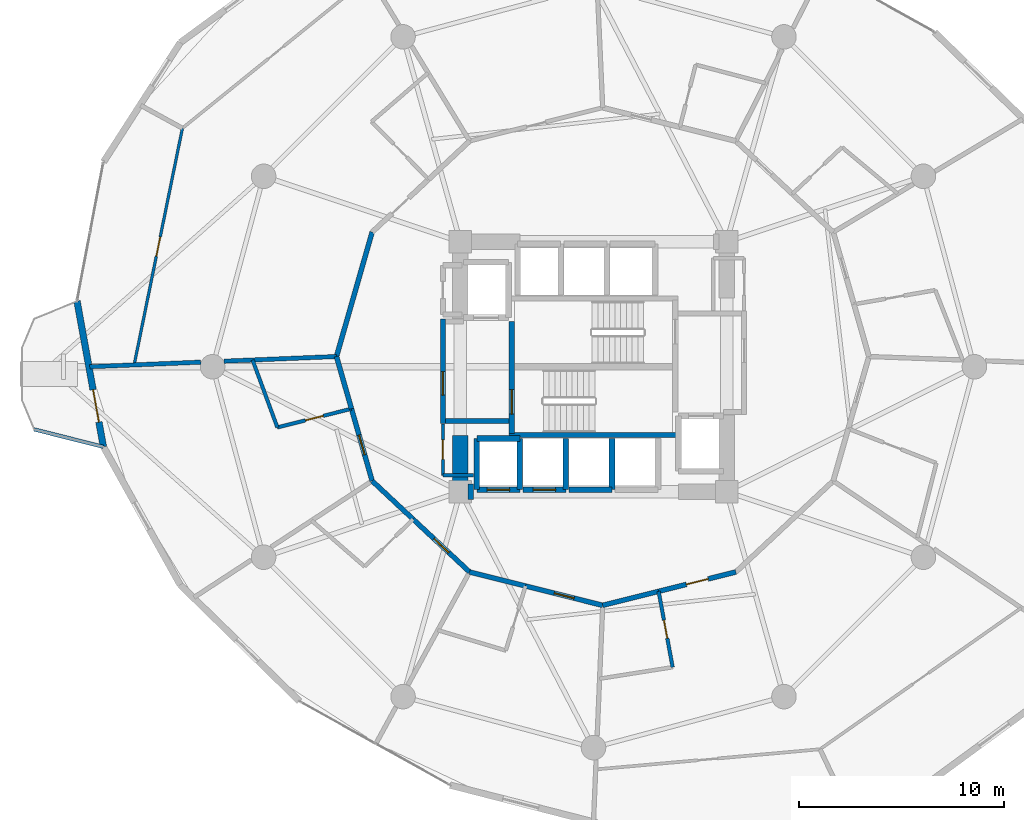
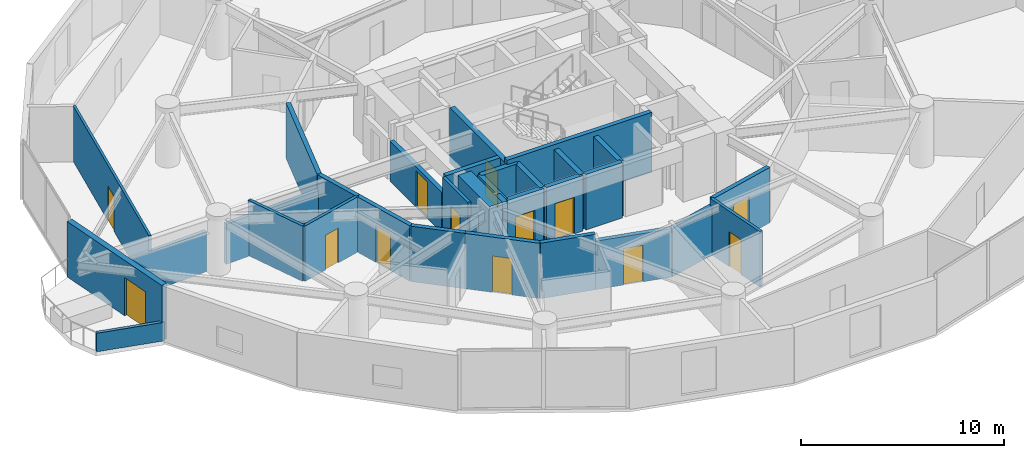
# One storey, part 17 of 22: 33 walls, 13 doors, 13 openings.
"""IFC4 building model written with IfcOpenShell, lengths in metres."""

from ifc_helpers import new_model, si_unit, direction, frame, frame_2d, origin, place, context, subcontext, project, spatial, rectangle, extrude, material, layer, layer_set, type_object, element, fill, save


model = new_model("IFC4")

# Units and contexts
model_context = context("Model", 3, precision=1e-05, world=origin(), true_north=direction((0.0, 1.0)))
body_context = subcontext(model_context, "Body", "Model", "MODEL_VIEW")
ifc_project = project(units=[si_unit("LENGTHUNIT", "METRE"), si_unit("AREAUNIT", "SQUARE_METRE"), si_unit("VOLUMEUNIT", "CUBIC_METRE"), si_unit("PLANEANGLEUNIT", "RADIAN"), si_unit("MASSUNIT", "GRAM", prefix="KILO")], contexts=[model_context])

# Site, building, storey
site_placement = place(None, origin())
site = spatial("IfcSite", under=ifc_project, at=site_placement, CompositionType="ELEMENT")
building_placement = place(site_placement, origin())
building = spatial("IfcBuilding", under=site, at=building_placement, Name="Solvirekh Grand Hotel", CompositionType="ELEMENT")
storey_placement = place(building_placement, frame((0.0, 0.0, 78.800048828125)))
storey = spatial("IfcBuildingStorey", under=building, at=storey_placement, Name="L19", CompositionType="ELEMENT", Elevation=78.800048828125)

# Wall
ifc_material_1 = material(Name="Concrete C50/60", Category="concrete")
ifc_layer_1 = layer(ifc_material_1, 0.35009765625)
ifc_layer_set_1 = layer_set([ifc_layer_1], Name="Concrete C50/60")
wall_type_1 = type_object("IfcWallType", Name="CoreDivWall_RC350", PredefinedType="SOLIDWALL", material=ifc_layer_set_1)
wall_1_placement = place(storey_placement, frame((-4.1298828125, -3.324951171875, 0.0), z_axis=(0.0, 0.0, 1.0), x_axis=(1.0, 0.0, 0.0)))
element("IfcWall", 1, at=wall_1_placement, inside=storey, type_object=wall_type_1, Name="L19 core stair box wall ST-S", PredefinedType="SOLIDWALL", context=body_context, shape_type="SweptSolid", body=[
    extrude(rectangle(XDim=8.259765625, YDim=0.25, at=frame_2d((4.1298828125, 0.0))), origin(), (0.0, 0.0, 1.0), 3.599853515625),
])

# Wall, opening, door
ifc_material_2 = material(Name="Concrete C40/50", Category="concrete")
ifc_layer_2 = layer(ifc_material_2, 0.280029296875)
ifc_layer_set_2 = layer_set([ifc_layer_2], Name="Concrete C40/50")
wall_type_2 = type_object("IfcWallType", Name="CoreShaftWall_RC280", PredefinedType="SOLIDWALL", material=ifc_layer_set_2)
wall_2_placement = place(storey_placement, frame((-5.699951171875, -6.0, 0.0), z_axis=(0.0, 0.0, 1.0), x_axis=(1.0, 0.0, 0.0)))
wall_2 = element("IfcWall", 2, at=wall_2_placement, inside=storey, type_object=wall_type_2, Name="L19 LP-1 hoistway S wall", PredefinedType="SOLIDWALL", context=body_context, shape_type="SweptSolid", body=[
    extrude(rectangle(XDim=2.099853515625, YDim=0.280029296875, at=frame_2d((1.0498046875, 0.0))), origin(), (0.0, 0.0, 1.0), 3.33984375),
])
opening_1_placement = place(wall_2_placement, frame((0.5, 0.0, 0.0)))
opening_1 = element("IfcOpeningElement", 3, at=opening_1_placement, cuts=wall_2, Name="Opening LD01", PredefinedType="OPENING", context=body_context, shape_type="SweptSolid", body=[
    extrude(rectangle(XDim=1.10009765625, YDim=2.199951171875, at=frame_2d((0.550048828125, 1.10009765625))), frame((0.0, 0.14990234375, 0.0), z_axis=(0.0, -1.0, 0.0), x_axis=(1.0, 0.0, 0.0)), (0.0, 0.0, 1.0), 0.300048828125),
])
ifc_material_3 = material(Name="Fire-Rated Steel Door Assembly", Category="steel")
door_type_1 = type_object("IfcDoorType", Name="Door_LiftLanding_1100X2200", OperationType="SLIDING_TO_LEFT", PredefinedType="DOOR", material=ifc_material_3)
door_1_placement = place(opening_1_placement, origin())
door_1 = element("IfcDoor", 4, at=door_1_placement, inside=storey, type_object=door_type_1, Name="L19 LP-1 sliding lift landing door", OperationType="SLIDING_TO_LEFT", OverallHeight=2.199951171875, OverallWidth=1.10009765625, PredefinedType="DOOR", context=body_context, shape_type="SweptSolid", body=[
    extrude(rectangle(XDim=1.10009765625, YDim=2.199951171875, at=frame_2d((0.550048828125, 1.10009765625))), frame((0.0, 0.02490234375, 0.0), z_axis=(0.0, -1.0, 0.0), x_axis=(1.0, 0.0, 0.0)), (0.0, 0.0, 1.0), 0.050048828125),
])
fill(opening_1, door_1)

# Walls
wall_3_placement = place(storey_placement, frame((-3.60009765625, -3.5, 0.0), z_axis=(0.0, 0.0, 1.0), x_axis=(-1.0, 0.0, 0.0)))
element("IfcWall", 5, at=wall_3_placement, inside=storey, type_object=wall_type_2, Name="L19 LP-1 hoistway N wall", PredefinedType="SOLIDWALL", context=body_context, shape_type="SweptSolid", body=[
    extrude(rectangle(XDim=2.099853515625, YDim=0.280029296875, at=frame_2d((1.0498046875, 0.0))), origin(), (0.0, 0.0, 1.0), 3.33984375),
])
for number, where, z_axis, x_axis, name in (
    (6, (-5.699951171875, -3.5, 0.0), (0.0, 0.0, 1.0), (0.0, -1.0, 0.0), "L19 LP-1 hoistway W wall"),
    (7, (-3.60009765625, -6.0, 0.0), (0.0, 0.0, 1.0), (0.0, 1.0, 0.0), "L19 LP-1 hoistway E wall"),
):
    element("IfcWall", number, at=place(storey_placement, frame(where, z_axis=z_axis, x_axis=x_axis)), inside=storey, type_object=wall_type_2, Name=name, PredefinedType="SOLIDWALL", context=body_context, shape_type="SweptSolid", body=[
        extrude(rectangle(XDim=2.5, YDim=0.280029296875, at=frame_2d((1.25, 0.0))), origin(), (0.0, 0.0, 1.0), 3.33984375),
    ])

# Wall, opening, door
wall_4_placement = place(storey_placement, frame((-3.449951171875, -6.0, 0.0), z_axis=(0.0, 0.0, 1.0), x_axis=(1.0, 0.0, 0.0)))
wall_4 = element("IfcWall", 8, at=wall_4_placement, inside=storey, type_object=wall_type_2, Name="L19 LP-2 hoistway S wall", PredefinedType="SOLIDWALL", context=body_context, shape_type="SweptSolid", body=[
    extrude(rectangle(XDim=2.099853515625, YDim=0.280029296875, at=frame_2d((1.0498046875, 0.0))), origin(), (0.0, 0.0, 1.0), 3.33984375),
])
opening_2_placement = place(wall_4_placement, frame((0.5, 0.0, 0.0)))
opening_2 = element("IfcOpeningElement", 9, at=opening_2_placement, cuts=wall_4, Name="Opening LD01", PredefinedType="OPENING", context=body_context, shape_type="SweptSolid", body=[
    extrude(rectangle(XDim=1.10009765625, YDim=2.199951171875, at=frame_2d((0.550048828125, 1.10009765625))), frame((0.0, 0.14990234375, 0.0), z_axis=(0.0, -1.0, 0.0), x_axis=(1.0, 0.0, 0.0)), (0.0, 0.0, 1.0), 0.300048828125),
])
door_2_placement = place(opening_2_placement, origin())
door_2 = element("IfcDoor", 10, at=door_2_placement, inside=storey, type_object=door_type_1, Name="L19 LP-2 sliding lift landing door", OperationType="SLIDING_TO_LEFT", OverallHeight=2.199951171875, OverallWidth=1.10009765625, PredefinedType="DOOR", context=body_context, shape_type="SweptSolid", body=[
    extrude(rectangle(XDim=1.10009765625, YDim=2.199951171875, at=frame_2d((0.550048828125, 1.10009765625))), frame((0.0, 0.02490234375, 0.0), z_axis=(0.0, -1.0, 0.0), x_axis=(1.0, 0.0, 0.0)), (0.0, 0.0, 1.0), 0.050048828125),
])
fill(opening_2, door_2)

# Walls
wall_5_placement = place(storey_placement, frame((-1.35009765625, -6.0, 0.0), z_axis=(0.0, 0.0, 1.0), x_axis=(0.0, 1.0, 0.0)))
element("IfcWall", 11, at=wall_5_placement, inside=storey, type_object=wall_type_2, Name="L19 LP-2 hoistway E wall", PredefinedType="SOLIDWALL", context=body_context, shape_type="SweptSolid", body=[
    extrude(rectangle(XDim=2.5, YDim=0.280029296875, at=frame_2d((1.25, 0.0))), origin(), (0.0, 0.0, 1.0), 3.33984375),
])
wall_6_placement = place(storey_placement, frame((-1.199951171875, -6.0, 0.0), z_axis=(0.0, 0.0, 1.0), x_axis=(1.0, 0.0, 0.0)))
element("IfcWall", 12, at=wall_6_placement, inside=storey, type_object=wall_type_2, Name="L19 MP-1 hoistway S wall", PredefinedType="SOLIDWALL", context=body_context, shape_type="SweptSolid", body=[
    extrude(rectangle(XDim=2.099853515625, YDim=0.280029296875, at=frame_2d((1.0498046875, 0.0))), origin(), (0.0, 0.0, 1.0), 3.33984375),
])
wall_7_placement = place(storey_placement, frame((0.89990234375, -6.0, 0.0), z_axis=(0.0, 0.0, 1.0), x_axis=(0.0, 1.0, 0.0)))
element("IfcWall", 13, at=wall_7_placement, inside=storey, type_object=wall_type_2, Name="L19 MP-1 hoistway E wall", PredefinedType="SOLIDWALL", context=body_context, shape_type="SweptSolid", body=[
    extrude(rectangle(XDim=2.5, YDim=0.280029296875, at=frame_2d((1.25, 0.0))), origin(), (0.0, 0.0, 1.0), 3.33984375),
])

# Wall, opening, door
wall_8_placement = place(storey_placement, frame((-3.989990234375, -3.25, 0.0), z_axis=(0.0, 0.0, 1.0), x_axis=(0.0, 1.0, 0.0)))
wall_8 = element("IfcWall", 14, at=wall_8_placement, inside=storey, type_object=wall_type_2, Name="L19 west stair landing enclosure wall", PredefinedType="SOLIDWALL", context=body_context, shape_type="SweptSolid", body=[
    extrude(rectangle(XDim=5.4599609375, YDim=0.280029296875, at=frame_2d((2.72998046875, 0.0))), origin(), (0.0, 0.0, 1.0), 3.33984375),
])
opening_3_placement = place(wall_8_placement, frame((0.93701171875, 0.0, 0.0)))
opening_3 = element("IfcOpeningElement", 15, at=opening_3_placement, cuts=wall_8, Name="Opening D05", PredefinedType="OPENING", context=body_context, shape_type="SweptSolid", body=[
    extrude(rectangle(XDim=1.199951171875, YDim=2.199951171875, at=frame_2d((0.60009765625, 1.10009765625))), frame((0.0, 0.14990234375, 0.0), z_axis=(0.0, -1.0, 0.0), x_axis=(1.0, 0.0, 0.0)), (0.0, 0.0, 1.0), 0.300048828125),
])
door_type_2 = type_object("IfcDoorType", Name="Door_StairCore_1200X2200", OperationType="NOTDEFINED", PredefinedType="DOOR", material=ifc_material_3)
door_3_placement = place(opening_3_placement, origin())
door_3 = element("IfcDoor", 16, at=door_3_placement, inside=storey, type_object=door_type_2, Name="L19 exit stair ST-1 fire door", OperationType="SINGLE_SWING_RIGHT", OverallHeight=2.199951171875, OverallWidth=1.199951171875, PredefinedType="DOOR", context=body_context, shape_type="SweptSolid", body=[
    extrude(rectangle(XDim=1.199951171875, YDim=2.199951171875, at=frame_2d((0.60009765625, 1.10009765625))), frame((0.0, 0.02490234375, 0.0), z_axis=(0.0, -1.0, 0.0), x_axis=(1.0, 0.0, 0.0)), (0.0, 0.0, 1.0), 0.050048828125),
])
fill(opening_3, door_3)

# Walls
ifc_material_4 = material(Name="Concrete C60/75", Category="concrete")
ifc_layer_3 = layer(ifc_material_4, 0.75)
ifc_layer_set_3 = layer_set([ifc_layer_3], Name="Concrete C60/75")
wall_type_3 = type_object("IfcWallType", Name="CoreWall_RC750", PredefinedType="SHEAR", material=ifc_layer_set_3)
wall_9_placement = place(storey_placement, frame((-6.125, -6.10009765625, 0.0), z_axis=(0.0, 0.0, 1.0), x_axis=(1.0, 0.0, 0.0)))
element("IfcWall", 17, at=wall_9_placement, inside=storey, type_object=wall_type_3, Name="L19 core corner shear wall SW-S", PredefinedType="SHEAR", context=body_context, shape_type="SweptSolid", body=[
    extrude(rectangle(XDim=0.27490234375, YDim=0.75, at=frame_2d((0.137451171875, 0.0))), origin(), (0.0, 0.0, 1.0), 3.599853515625),
])
wall_10_placement = place(storey_placement, frame((-6.5, -6.47509765625, 0.0), z_axis=(0.0, 0.0, 1.0), x_axis=(0.0, 1.0, 0.0)))
element("IfcWall", 18, at=wall_10_placement, inside=storey, type_object=wall_type_3, Name="L19 core corner shear wall WS-W", PredefinedType="SHEAR", context=body_context, shape_type="SweptSolid", body=[
    extrude(rectangle(XDim=3.125, YDim=0.75, at=frame_2d((1.5625, 0.0))), origin(), (0.0, 0.0, 1.0), 3.599853515625),
])

# Wall, opening, door
ifc_material_5 = material(Name="Precast concrete C45/55", Category="concrete")
ifc_layer_4 = layer(ifc_material_5, 0.320068359375)
ifc_layer_set_4 = layer_set([ifc_layer_4], Name="Precast concrete C45/55")
wall_type_4 = type_object("IfcWallType", Name="ExtLobbyWall_RC320", PredefinedType="SOLIDWALL", material=ifc_layer_set_4)
wall_11_placement = place(storey_placement, frame((-23.930908203125, -3.912109375, 0.0), z_axis=(0.0, 0.0, 1.0), x_axis=(-0.178065653106, 0.984018609165, 0.0)))
wall_11 = element("IfcWall", 19, at=wall_11_placement, inside=storey, type_object=wall_type_4, Name="L19 exterior structural wall chord 12", PredefinedType="SOLIDWALL", context=body_context, shape_type="SweptSolid", body=[
    extrude(rectangle(XDim=7.23388671875, YDim=0.320068359375, at=frame_2d((3.616943359375, 0.0))), origin(), (0.0, 0.0, 1.0), 3.33984375),
])
opening_4_placement = place(wall_11_placement, frame((1.23388671875, 0.0, 0.0)))
opening_4 = element("IfcOpeningElement", 20, at=opening_4_placement, cuts=wall_11, Name="Opening D04", PredefinedType="OPENING", context=body_context, shape_type="SweptSolid", body=[
    extrude(rectangle(XDim=1.60009765625, YDim=2.300048828125, at=frame_2d((0.800048828125, 1.14990234375))), frame((0.0, 0.169921875, 0.0), z_axis=(0.0, -1.0, 0.0), x_axis=(1.0, 0.0, 0.0)), (0.0, 0.0, 1.0), 0.340087890625),
])
ifc_material_6 = material(Name="Anodized Bronze Aluminium 6063-T6", Category="aluminium")
door_type_3 = type_object("IfcDoorType", Name="Door_ExtTerrace_1600X2300", OperationType="NOTDEFINED", PredefinedType="DOOR", material=ifc_material_6)
door_4_placement = place(opening_4_placement, origin())
door_4 = element("IfcDoor", 21, at=door_4_placement, inside=storey, type_object=door_type_3, Name="L19 West horn sky-garden terrace door (12)", OperationType="SINGLE_SWING_LEFT", OverallHeight=2.300048828125, OverallWidth=1.60009765625, PredefinedType="DOOR", context=body_context, shape_type="SweptSolid", body=[
    extrude(rectangle(XDim=1.60009765625, YDim=2.300048828125, at=frame_2d((0.800048828125, 1.14990234375))), frame((0.0, 0.02490234375, 0.0), z_axis=(0.0, -1.0, 0.0), x_axis=(1.0, 0.0, 0.0)), (0.0, 0.0, 1.0), 0.050048828125),
])
fill(opening_4, door_4)

# Walls
ifc_layer_5 = layer(ifc_material_5, 0.179931640625)
ifc_layer_set_5 = layer_set([ifc_layer_5], Name="Precast concrete C45/55")
wall_type_5 = type_object("IfcWallType", Name="ExtPlanterWall_180", PredefinedType="PARAPET", material=ifc_layer_set_5)
wall_12_placement = place(storey_placement, frame((-27.319091796875, -3.05810546875, 0.0), z_axis=(0.0, 0.0, 1.0), x_axis=(0.969672141927, -0.244409363918, 0.0)))
element("IfcWall", 22, at=wall_12_placement, inside=storey, type_object=wall_type_5, Name="L19 horn sky-garden planter parapet", PredefinedType="PARAPET", context=body_context, shape_type="SweptSolid", body=[
    extrude(rectangle(XDim=3.494140625, YDim=0.179931640625, at=frame_2d((1.7470703125, 0.0))), origin(), (0.0, 0.0, 1.0), 1.119873046875),
])
ifc_material_7 = material(Name="Acoustic Gypsum Partition Assembly")
ifc_layer_6 = layer(ifc_material_7, 0.1650390625)
ifc_layer_set_6 = layer_set([ifc_layer_6], Name="Acoustic Gypsum Partition Assembly")
wall_type_6 = type_object("IfcWallType", Name="Part_BOH_165", PredefinedType="PARTITIONING", material=ifc_layer_set_6)
wall_13_placement = place(storey_placement, frame((-7.35009765625, -5.300048828125, 0.0), z_axis=(0.0, 0.0, 1.0), x_axis=(1.0, 0.0, 0.0)))
element("IfcWall", 23, at=wall_13_placement, inside=storey, type_object=wall_type_6, Name="L19 L19 Core Linen Store wall 1", PredefinedType="PARTITIONING", context=body_context, shape_type="SweptSolid", body=[
    extrude(rectangle(XDim=1.5, YDim=0.1650390625, at=frame_2d((0.75, 0.0))), origin(), (0.0, 0.0, 1.0), 2.425048828125),
])

# Wall, opening, door
wall_14_placement = place(storey_placement, frame((-7.35009765625, -2.800048828125, 0.0), z_axis=(0.0, 0.0, 1.0), x_axis=(0.0, -1.0, 0.0)))
wall_14 = element("IfcWall", 24, at=wall_14_placement, inside=storey, type_object=wall_type_6, Name="L19 L19 Core Linen Store wall 4", PredefinedType="PARTITIONING", context=body_context, shape_type="SweptSolid", body=[
    extrude(rectangle(XDim=2.5, YDim=0.1650390625, at=frame_2d((1.25, 0.0))), origin(), (0.0, 0.0, 1.0), 3.33984375),
])
opening_5_placement = place(wall_14_placement, frame((0.77490234375, 0.0, 0.0)))
opening_5 = element("IfcOpeningElement", 25, at=opening_5_placement, cuts=wall_14, Name="Opening D10", PredefinedType="OPENING", context=body_context, shape_type="SweptSolid", body=[
    extrude(rectangle(XDim=0.949951171875, YDim=2.10009765625, at=frame_2d((0.47509765625, 1.050048828125))), frame((0.0, 0.092529296875, 0.0), z_axis=(0.0, -1.0, 0.0), x_axis=(1.0, 0.0, 0.0)), (0.0, 0.0, 1.0), 0.18505859375),
])
door_type_4 = type_object("IfcDoorType", Name="Door_RoomInt_950X2100", OperationType="NOTDEFINED", PredefinedType="DOOR", material=ifc_material_6)
door_5_placement = place(opening_5_placement, origin())
door_5 = element("IfcDoor", 26, at=door_5_placement, inside=storey, type_object=door_type_4, Name="L19 L19 Core Linen Store door", OperationType="SINGLE_SWING_LEFT", OverallHeight=2.10009765625, OverallWidth=0.949951171875, PredefinedType="DOOR", context=body_context, shape_type="SweptSolid", body=[
    extrude(rectangle(XDim=0.949951171875, YDim=2.10009765625, at=frame_2d((0.47509765625, 1.050048828125))), frame((0.0, 0.02490234375, 0.0), z_axis=(0.0, -1.0, 0.0), x_axis=(1.0, 0.0, 0.0)), (0.0, 0.0, 1.0), 0.050048828125),
])
fill(opening_5, door_5)

ifc_layer_7 = layer(ifc_material_7, 0.239990234375)
ifc_layer_set_7 = layer_set([ifc_layer_7], Name="Acoustic Gypsum Partition Assembly")
wall_type_7 = type_object("IfcWallType", Name="Part_Corridor_240", PredefinedType="PARTITIONING", material=ifc_layer_set_7)
wall_15_placement = place(storey_placement, frame((-7.35009765625, -2.780029296875, 0.0), z_axis=(0.0, 0.0, 1.0), x_axis=(0.0, 1.0, 0.0)))
wall_15 = element("IfcWall", 27, at=wall_15_placement, inside=storey, type_object=wall_type_7, Name="L19 west firefighting lobby smoke screen wall", PredefinedType="PARTITIONING", context=body_context, shape_type="SweptSolid", body=[
    extrude(rectangle(XDim=5.1201171875, YDim=0.239990234375, at=frame_2d((2.56005859375, 0.0))), origin(), (0.0, 0.0, 1.0), 2.425048828125),
])
opening_6_placement = place(wall_15_placement, frame((1.388916015625, 0.0, 0.0)))
opening_6 = element("IfcOpeningElement", 28, at=opening_6_placement, cuts=wall_15, Name="Opening D06", PredefinedType="OPENING", context=body_context, shape_type="SweptSolid", body=[
    extrude(rectangle(XDim=1.14990234375, YDim=2.199951171875, at=frame_2d((0.574951171875, 1.10009765625))), frame((0.0, 0.1298828125, 0.0), z_axis=(0.0, -1.0, 0.0), x_axis=(1.0, 0.0, 0.0)), (0.0, 0.0, 1.0), 0.260009765625),
])
door_type_5 = type_object("IfcDoorType", Name="Door_FFLobby_1150X2200", OperationType="NOTDEFINED", PredefinedType="DOOR", material=ifc_material_3)
door_6_placement = place(opening_6_placement, origin())
door_6 = element("IfcDoor", 29, at=door_6_placement, inside=storey, type_object=door_type_5, Name="L19 west firefighting lobby smoke door", OperationType="SINGLE_SWING_RIGHT", OverallHeight=2.199951171875, OverallWidth=1.14990234375, PredefinedType="DOOR", context=body_context, shape_type="SweptSolid", body=[
    extrude(rectangle(XDim=1.14990234375, YDim=2.199951171875, at=frame_2d((0.574951171875, 1.10009765625))), frame((0.0, 0.02490234375, 0.0), z_axis=(0.0, -1.0, 0.0), x_axis=(1.0, 0.0, 0.0)), (0.0, 0.0, 1.0), 0.050048828125),
])
fill(opening_6, door_6)

# Walls
wall_16_placement = place(storey_placement, frame((-10.80810546875, 6.574951171875, 0.0), z_axis=(0.0, 0.0, 1.0), x_axis=(-0.275634306148, -0.961262570412, 0.0)))
element("IfcWall", 30, at=wall_16_placement, inside=storey, type_object=wall_type_7, Name="L19 Executive Suite 2101 Living Room corridor wall 1", PredefinedType="PARTITIONING", context=body_context, shape_type="SweptSolid", body=[
    extrude(rectangle(XDim=6.31982421875, YDim=0.239990234375, at=frame_2d((3.159912109375, 0.0))), origin(), (0.0, 0.0, 1.0), 3.33984375),
])
wall_17_placement = place(storey_placement, frame((-12.550048828125, 0.5, 0.0), z_axis=(0.0, 0.0, 1.0), x_axis=(0.275790140823, -0.961217872402, 0.0)))
element("IfcWall", 31, at=wall_17_placement, inside=storey, type_object=wall_type_7, Name="L19 En-suite Bathroom 2102 corridor backing wall", PredefinedType="PARTITIONING", context=body_context, shape_type="SweptSolid", body=[
    extrude(rectangle(XDim=2.654052734375, YDim=0.239990234375, at=frame_2d((1.3271484375, 0.0))), origin(), (0.0, 0.0, 1.0), 3.33984375),
])

# Wall, opening, door
wall_18_placement = place(storey_placement, frame((-11.818115234375, -2.051025390625, 0.0), z_axis=(0.0, 0.0, 1.0), x_axis=(0.275521481409, -0.961294914832, 0.0)))
wall_18 = element("IfcWall", 32, at=wall_18_placement, inside=storey, type_object=wall_type_7, Name="L19 Deluxe Guestroom 2102 entrance wall", PredefinedType="PARTITIONING", context=body_context, shape_type="SweptSolid", body=[
    extrude(rectangle(XDim=3.665771484375, YDim=0.239990234375, at=frame_2d((1.8330078125, 0.0))), origin(), (0.0, 0.0, 1.0), 3.33984375),
])
opening_7_placement = place(wall_18_placement, frame((1.3330078125, 0.0, 0.0)))
opening_7 = element("IfcOpeningElement", 33, at=opening_7_placement, cuts=wall_18, Name="Opening D07", PredefinedType="OPENING", context=body_context, shape_type="SweptSolid", body=[
    extrude(rectangle(XDim=1.0, YDim=2.199951171875, at=frame_2d((0.5, 1.10009765625))), frame((0.0, 0.1298828125, 0.0), z_axis=(0.0, -1.0, 0.0), x_axis=(1.0, 0.0, 0.0)), (0.0, 0.0, 1.0), 0.260009765625),
])
door_type_6 = type_object("IfcDoorType", Name="Door_GuestEntry_1000X2200", OperationType="NOTDEFINED", PredefinedType="DOOR", material=ifc_material_3)
door_7_placement = place(opening_7_placement, origin())
door_7 = element("IfcDoor", 34, at=door_7_placement, inside=storey, type_object=door_type_6, Name="L19 Deluxe Guestroom 2102 entrance door", OperationType="SINGLE_SWING_RIGHT", OverallHeight=2.199951171875, OverallWidth=1.0, PredefinedType="DOOR", context=body_context, shape_type="SweptSolid", body=[
    extrude(rectangle(XDim=1.0, YDim=2.199951171875, at=frame_2d((0.5, 1.10009765625))), frame((0.0, 0.02490234375, 0.0), z_axis=(0.0, -1.0, 0.0), x_axis=(1.0, 0.0, 0.0)), (0.0, 0.0, 1.0), 0.050048828125),
])
fill(opening_7, door_7)

# Wall
wall_19_placement = place(storey_placement, frame((-10.80810546875, -5.574951171875, 0.0), z_axis=(0.0, 0.0, 1.0), x_axis=(0.730449499178, -0.682966711597, 0.0)))
element("IfcWall", 35, at=wall_19_placement, inside=storey, type_object=wall_type_7, Name="L19 En-suite Bathroom 2103 corridor backing wall", PredefinedType="PARTITIONING", context=body_context, shape_type="SweptSolid", body=[
    extrude(rectangle(XDim=2.7353515625, YDim=0.239990234375, at=frame_2d((1.36767578125, 0.0))), origin(), (0.0, 0.0, 1.0), 3.33984375),
])

# Wall, opening, door
wall_20_placement = place(storey_placement, frame((-8.81005859375, -7.443115234375, 0.0), z_axis=(0.0, 0.0, 1.0), x_axis=(0.730679025356, -0.682721145054, 0.0)))
wall_20 = element("IfcWall", 36, at=wall_20_placement, inside=storey, type_object=wall_type_7, Name="L19 Deluxe Guestroom 2103 entrance wall", PredefinedType="PARTITIONING", context=body_context, shape_type="SweptSolid", body=[
    extrude(rectangle(XDim=3.77734375, YDim=0.239990234375, at=frame_2d((1.888671875, 0.0))), origin(), (0.0, 0.0, 1.0), 3.33984375),
])
opening_8_placement = place(wall_20_placement, frame((1.388916015625, 0.0, 0.0)))
opening_8 = element("IfcOpeningElement", 37, at=opening_8_placement, cuts=wall_20, Name="Opening D07", PredefinedType="OPENING", context=body_context, shape_type="SweptSolid", body=[
    extrude(rectangle(XDim=1.0, YDim=2.199951171875, at=frame_2d((0.5, 1.10009765625))), frame((0.0, 0.1298828125, 0.0), z_axis=(0.0, -1.0, 0.0), x_axis=(1.0, 0.0, 0.0)), (0.0, 0.0, 1.0), 0.260009765625),
])
door_8_placement = place(opening_8_placement, origin())
door_8 = element("IfcDoor", 38, at=door_8_placement, inside=storey, type_object=door_type_6, Name="L19 Deluxe Guestroom 2103 entrance door", OperationType="SINGLE_SWING_RIGHT", OverallHeight=2.199951171875, OverallWidth=1.0, PredefinedType="DOOR", context=body_context, shape_type="SweptSolid", body=[
    extrude(rectangle(XDim=1.0, YDim=2.199951171875, at=frame_2d((0.5, 1.10009765625))), frame((0.0, 0.02490234375, 0.0), z_axis=(0.0, -1.0, 0.0), x_axis=(1.0, 0.0, 0.0)), (0.0, 0.0, 1.0), 0.050048828125),
])
fill(opening_8, door_8)

# Wall
wall_21_placement = place(storey_placement, frame((-6.050048828125, -10.02197265625, 0.0), z_axis=(0.0, 0.0, 1.0), x_axis=(0.970009682466, -0.243066278865, 0.0)))
element("IfcWall", 39, at=wall_21_placement, inside=storey, type_object=wall_type_7, Name="L19 En-suite Bathroom 2104 corridor backing wall", PredefinedType="PARTITIONING", context=body_context, shape_type="SweptSolid", body=[
    extrude(rectangle(XDim=2.814453125, YDim=0.239990234375, at=frame_2d((1.4072265625, 0.0))), origin(), (0.0, 0.0, 1.0), 3.33984375),
])

# Wall, opening, door
wall_22_placement = place(storey_placement, frame((-3.320068359375, -10.7060546875, 0.0), z_axis=(0.0, 0.0, 1.0), x_axis=(0.970061149619, -0.24286079552, 0.0)))
wall_22 = element("IfcWall", 40, at=wall_22_placement, inside=storey, type_object=wall_type_7, Name="L19 Deluxe Guestroom 2104 entrance wall", PredefinedType="PARTITIONING", context=body_context, shape_type="SweptSolid", body=[
    extrude(rectangle(XDim=3.886474609375, YDim=0.239990234375, at=frame_2d((1.943359375, 0.0))), origin(), (0.0, 0.0, 1.0), 2.91796875),
])
opening_9_placement = place(wall_22_placement, frame((1.443115234375, 0.0, 0.0)))
opening_9 = element("IfcOpeningElement", 41, at=opening_9_placement, cuts=wall_22, Name="Opening D07", PredefinedType="OPENING", context=body_context, shape_type="SweptSolid", body=[
    extrude(rectangle(XDim=1.0, YDim=2.199951171875, at=frame_2d((0.5, 1.10009765625))), frame((0.0, 0.1298828125, 0.0), z_axis=(0.0, -1.0, 0.0), x_axis=(1.0, 0.0, 0.0)), (0.0, 0.0, 1.0), 0.260009765625),
])
door_9_placement = place(opening_9_placement, origin())
door_9 = element("IfcDoor", 42, at=door_9_placement, inside=storey, type_object=door_type_6, Name="L19 Deluxe Guestroom 2104 entrance door", OperationType="SINGLE_SWING_RIGHT", OverallHeight=2.199951171875, OverallWidth=1.0, PredefinedType="DOOR", context=body_context, shape_type="SweptSolid", body=[
    extrude(rectangle(XDim=1.0, YDim=2.199951171875, at=frame_2d((0.5, 1.10009765625))), frame((0.0, 0.02490234375, 0.0), z_axis=(0.0, -1.0, 0.0), x_axis=(1.0, 0.0, 0.0)), (0.0, 0.0, 1.0), 0.050048828125),
])
fill(opening_9, door_9)

# Wall
wall_23_placement = place(storey_placement, frame((0.449951171875, -11.64990234375, 0.0), z_axis=(0.0, 0.0, 1.0), x_axis=(0.97003013248, 0.242984654004, 0.0)))
element("IfcWall", 43, at=wall_23_placement, inside=storey, type_object=wall_type_7, Name="L19 En-suite Bathroom 2105 corridor backing wall", PredefinedType="PARTITIONING", context=body_context, shape_type="SweptSolid", body=[
    extrude(rectangle(XDim=2.814208984375, YDim=0.239990234375, at=frame_2d((1.4072265625, 0.0))), origin(), (0.0, 0.0, 1.0), 2.91796875),
])

# Wall, opening, door
wall_24_placement = place(storey_placement, frame((3.179931640625, -10.966064453125, 0.0), z_axis=(0.0, 0.0, 1.0), x_axis=(0.970046348371, 0.242919908636, 0.0)))
wall_24 = element("IfcWall", 44, at=wall_24_placement, inside=storey, type_object=wall_type_7, Name="L19 Executive Suite 2105 Living Room entrance wall", PredefinedType="PARTITIONING", context=body_context, shape_type="SweptSolid", body=[
    extrude(rectangle(XDim=3.886474609375, YDim=0.239990234375, at=frame_2d((1.943359375, 0.0))), origin(), (0.0, 0.0, 1.0), 3.33984375),
])
opening_10_placement = place(wall_24_placement, frame((1.39306640625, 0.0, 0.0)))
opening_10 = element("IfcOpeningElement", 45, at=opening_10_placement, cuts=wall_24, Name="Opening D08", PredefinedType="OPENING", context=body_context, shape_type="SweptSolid", body=[
    extrude(rectangle(XDim=1.10009765625, YDim=2.300048828125, at=frame_2d((0.550048828125, 1.14990234375))), frame((0.0, 0.1298828125, 0.0), z_axis=(0.0, -1.0, 0.0), x_axis=(1.0, 0.0, 0.0)), (0.0, 0.0, 1.0), 0.260009765625),
])
door_type_7 = type_object("IfcDoorType", Name="Door_SuiteEntry_1100X2300", OperationType="NOTDEFINED", PredefinedType="DOOR", material=ifc_material_3)
door_10_placement = place(opening_10_placement, origin())
door_10 = element("IfcDoor", 46, at=door_10_placement, inside=storey, type_object=door_type_7, Name="L19 Executive Suite 2105 Living Room entrance door", OperationType="SINGLE_SWING_RIGHT", OverallHeight=2.300048828125, OverallWidth=1.10009765625, PredefinedType="DOOR", context=body_context, shape_type="SweptSolid", body=[
    extrude(rectangle(XDim=1.10009765625, YDim=2.300048828125, at=frame_2d((0.550048828125, 1.14990234375))), frame((0.0, 0.02490234375, 0.0), z_axis=(0.0, -1.0, 0.0), x_axis=(1.0, 0.0, 0.0)), (0.0, 0.0, 1.0), 0.050048828125),
])
fill(opening_10, door_10)

# Wall
ifc_layer_8 = layer(ifc_material_7, 0.260009765625)
ifc_layer_set_8 = layer_set([ifc_layer_8], Name="Acoustic Gypsum Partition Assembly")
wall_type_8 = type_object("IfcWallType", Name="Part_LobbyFF_260", PredefinedType="PARTITIONING", material=ifc_layer_set_8)
wall_25_placement = place(storey_placement, frame((-7.22509765625, -2.64990234375, 0.0), z_axis=(0.0, 0.0, 1.0), x_axis=(1.0, 0.0, 0.0)))
element("IfcWall", 47, at=wall_25_placement, inside=storey, type_object=wall_type_8, Name="L19 west firefighting lobby south partition", PredefinedType="PARTITIONING", context=body_context, shape_type="SweptSolid", body=[
    extrude(rectangle(XDim=3.09521484375, YDim=0.260009765625, at=frame_2d((1.547607421875, 0.0))), origin(), (0.0, 0.0, 1.0), 3.33984375),
])

# Wall, opening, door
ifc_layer_9 = layer(ifc_material_7, 0.135009765625)
ifc_layer_set_9 = layer_set([ifc_layer_9], Name="Acoustic Gypsum Partition Assembly")
wall_type_9 = type_object("IfcWallType", Name="Part_RoomInt_135", PredefinedType="PARTITIONING", material=ifc_layer_set_9)
wall_26_placement = place(storey_placement, frame((-20.072998046875, 11.64892578125, 0.0), z_axis=(0.0, 0.0, 1.0), x_axis=(-0.199796197969, -0.979837475951, 0.0)))
wall_26 = element("IfcWall", 48, at=wall_26_placement, inside=storey, type_object=wall_type_9, Name="L19 Executive Suite 2101 Panorama Suite Study bedroom screen wall", PredefinedType="PARTITIONING", context=body_context, shape_type="SweptSolid", body=[
    extrude(rectangle(XDim=11.796630859375, YDim=0.135009765625, at=frame_2d((5.8984375, 0.0))), origin(), (0.0, 0.0, 1.0), 3.33984375),
])
opening_11_placement = place(wall_26_placement, frame((5.423095703125, 0.0, 0.0)))
opening_11 = element("IfcOpeningElement", 49, at=opening_11_placement, cuts=wall_26, Name="Opening D10", PredefinedType="OPENING", context=body_context, shape_type="SweptSolid", body=[
    extrude(rectangle(XDim=0.949951171875, YDim=2.10009765625, at=frame_2d((0.47509765625, 1.050048828125))), frame((0.0, 0.07763671875, 0.0), z_axis=(0.0, -1.0, 0.0), x_axis=(1.0, 0.0, 0.0)), (0.0, 0.0, 1.0), 0.155029296875),
])
door_11_placement = place(opening_11_placement, origin())
door_11 = element("IfcDoor", 50, at=door_11_placement, inside=storey, type_object=door_type_4, Name="L19 Executive Suite 2101 Panorama Suite Study master bedroom door", OperationType="SINGLE_SWING_RIGHT", OverallHeight=2.10009765625, OverallWidth=0.949951171875, PredefinedType="DOOR", context=body_context, shape_type="SweptSolid", body=[
    extrude(rectangle(XDim=0.949951171875, YDim=2.10009765625, at=frame_2d((0.47509765625, 1.050048828125))), frame((0.0, 0.02490234375, 0.0), z_axis=(0.0, -1.0, 0.0), x_axis=(1.0, 0.0, 0.0)), (0.0, 0.0, 1.0), 0.050048828125),
])
fill(opening_11, door_11)

# Walls
ifc_layer_10 = layer(ifc_material_7, 0.2099609375)
ifc_layer_set_10 = layer_set([ifc_layer_10], Name="Acoustic Gypsum Partition Assembly")
wall_type_10 = type_object("IfcWallType", Name="Part_SuiteDemise_210", PredefinedType="PARTITIONING", material=ifc_layer_set_10)
wall_27_placement = place(storey_placement, frame((-12.550048828125, 0.5, 0.0), z_axis=(0.0, 0.0, 1.0), x_axis=(-0.999139449334, -0.041477232129, 0.0)))
element("IfcWall", 51, at=wall_27_placement, inside=storey, type_object=wall_type_10, Name="L19 suite radial wall 7 (A)", PredefinedType="PARTITIONING", context=body_context, shape_type="SweptSolid", body=[
    extrude(rectangle(XDim=5.49755859375, YDim=0.2099609375, at=frame_2d((2.748779296875, 0.0))), origin(), (0.0, 0.0, 1.0), 2.4208984375),
])
wall_28_placement = place(storey_placement, frame((-19.177978515625, 0.22509765625, 0.0), z_axis=(0.0, 0.0, 1.0), x_axis=(-0.999139067382, -0.04148643189, 0.0)))
element("IfcWall", 52, at=wall_28_placement, inside=storey, type_object=wall_type_10, Name="L19 suite radial wall 7 (B)", PredefinedType="PARTITIONING", context=body_context, shape_type="SweptSolid", body=[
    extrude(rectangle(XDim=5.42578125, YDim=0.2099609375, at=frame_2d((2.712890625, 0.0))), origin(), (0.0, 0.0, 1.0), 2.4208984375),
])
ifc_layer_11 = layer(ifc_material_7, 0.175048828125)
ifc_layer_set_11 = layer_set([ifc_layer_11], Name="Acoustic Gypsum Partition Assembly")
wall_type_11 = type_object("IfcWallType", Name="Plumb_Ensuite_175", PredefinedType="PLUMBINGWALL", material=ifc_layer_set_11)
wall_29_placement = place(storey_placement, frame((-16.64697265625, 0.330078125, 0.0), z_axis=(0.0, 0.0, 1.0), x_axis=(0.345227943429, -0.93851886879, 0.0)))
element("IfcWall", 53, at=wall_29_placement, inside=storey, type_object=wall_type_11, Name="L19 En-suite Bathroom 2102 outer plumbing wall", PredefinedType="PLUMBINGWALL", context=body_context, shape_type="SweptSolid", body=[
    extrude(rectangle(XDim=3.507568359375, YDim=0.175048828125, at=frame_2d((1.75390625, 0.0))), origin(), (0.0, 0.0, 1.0), 3.33984375),
])

# Wall, opening, door
wall_30_placement = place(storey_placement, frame((-11.818115234375, -2.051025390625, 0.0), z_axis=(0.0, 0.0, 1.0), x_axis=(-0.969736972456, -0.244152010543, 0.0)))
wall_30 = element("IfcWall", 54, at=wall_30_placement, inside=storey, type_object=wall_type_11, Name="L19 En-suite Bathroom 2102 entry plumbing wall", PredefinedType="PLUMBINGWALL", context=body_context, shape_type="SweptSolid", body=[
    extrude(rectangle(XDim=3.730712890625, YDim=0.175048828125, at=frame_2d((1.865234375, 0.0))), origin(), (0.0, 0.0, 1.0), 3.33984375),
])
opening_12_placement = place(wall_30_placement, frame((1.4150390625, 0.0, 0.0)))
opening_12 = element("IfcOpeningElement", 55, at=opening_12_placement, cuts=wall_30, Name="Opening D09", PredefinedType="OPENING", context=body_context, shape_type="SweptSolid", body=[
    extrude(rectangle(XDim=0.89990234375, YDim=2.10009765625, at=frame_2d((0.449951171875, 1.050048828125))), frame((0.0, 0.09765625, 0.0), z_axis=(0.0, -1.0, 0.0), x_axis=(1.0, 0.0, 0.0)), (0.0, 0.0, 1.0), 0.195068359375),
])
door_type_8 = type_object("IfcDoorType", Name="Door_Ensuite_900X2100", OperationType="NOTDEFINED", PredefinedType="DOOR", material=ifc_material_6)
door_12_placement = place(opening_12_placement, origin())
door_12 = element("IfcDoor", 56, at=door_12_placement, inside=storey, type_object=door_type_8, Name="L19 En-suite Bathroom 2102 door", OperationType="SINGLE_SWING_LEFT", OverallHeight=2.10009765625, OverallWidth=0.89990234375, PredefinedType="DOOR", context=body_context, shape_type="SweptSolid", body=[
    extrude(rectangle(XDim=0.89990234375, YDim=2.10009765625, at=frame_2d((0.449951171875, 1.050048828125))), frame((0.0, 0.02490234375, 0.0), z_axis=(0.0, -1.0, 0.0), x_axis=(1.0, 0.0, 0.0)), (0.0, 0.0, 1.0), 0.050048828125),
])
fill(opening_12, door_12)

wall_31_placement = place(storey_placement, frame((3.179931640625, -10.966064453125, 0.0), z_axis=(0.0, 0.0, 1.0), x_axis=(0.181576402411, -0.983376840325, 0.0)))
wall_31 = element("IfcWall", 57, at=wall_31_placement, inside=storey, type_object=wall_type_11, Name="L19 En-suite Bathroom 2105 entry plumbing wall", PredefinedType="PLUMBINGWALL", context=body_context, shape_type="SweptSolid", body=[
    extrude(rectangle(XDim=3.767578125, YDim=0.175048828125, at=frame_2d((1.8837890625, 0.0))), origin(), (0.0, 0.0, 1.0), 3.33984375),
])
opening_13_placement = place(wall_31_placement, frame((1.43408203125, 0.0, 0.0)))
opening_13 = element("IfcOpeningElement", 58, at=opening_13_placement, cuts=wall_31, Name="Opening D09", PredefinedType="OPENING", context=body_context, shape_type="SweptSolid", body=[
    extrude(rectangle(XDim=0.89990234375, YDim=2.10009765625, at=frame_2d((0.449951171875, 1.050048828125))), frame((0.0, 0.09765625, 0.0), z_axis=(0.0, -1.0, 0.0), x_axis=(1.0, 0.0, 0.0)), (0.0, 0.0, 1.0), 0.195068359375),
])
door_13_placement = place(opening_13_placement, origin())
door_13 = element("IfcDoor", 59, at=door_13_placement, inside=storey, type_object=door_type_8, Name="L19 En-suite Bathroom 2105 door", OperationType="SINGLE_SWING_LEFT", OverallHeight=2.10009765625, OverallWidth=0.89990234375, PredefinedType="DOOR", context=body_context, shape_type="SweptSolid", body=[
    extrude(rectangle(XDim=0.89990234375, YDim=2.10009765625, at=frame_2d((0.449951171875, 1.050048828125))), frame((0.0, 0.02490234375, 0.0), z_axis=(0.0, -1.0, 0.0), x_axis=(1.0, 0.0, 0.0)), (0.0, 0.0, 1.0), 0.050048828125),
])
fill(opening_13, door_13)

save(model, "model.ifc")
